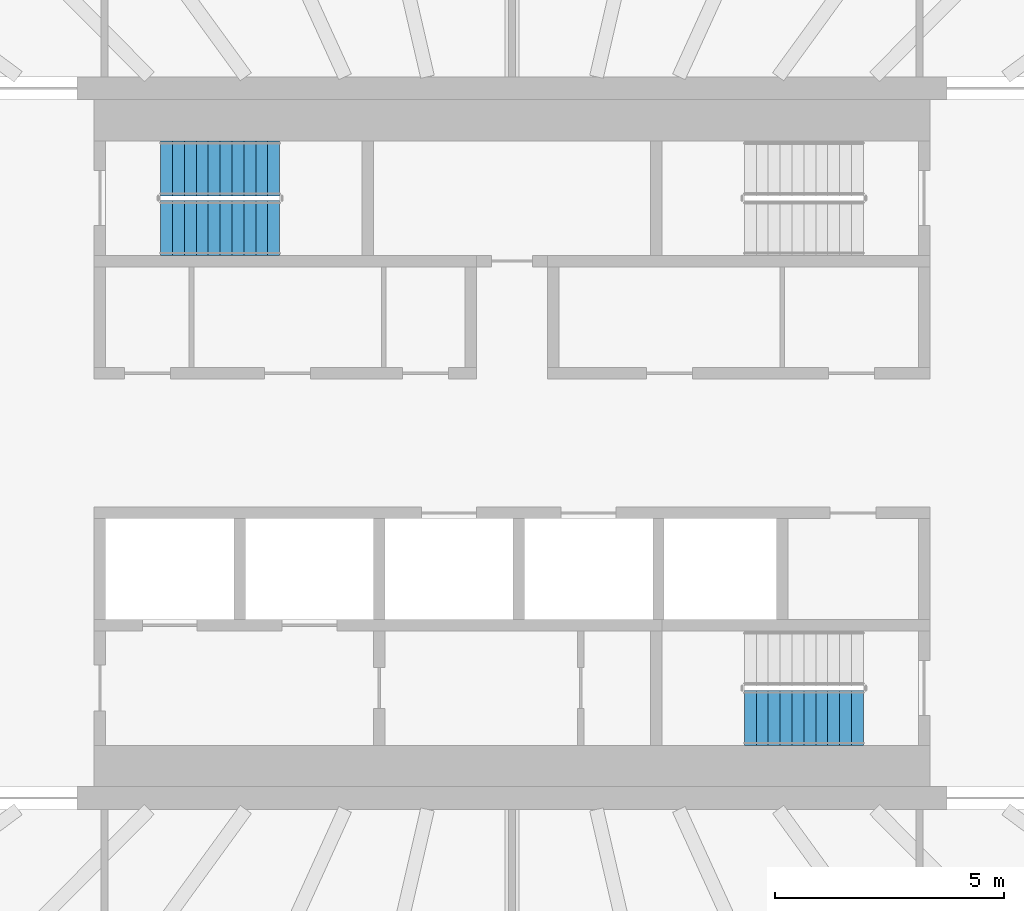
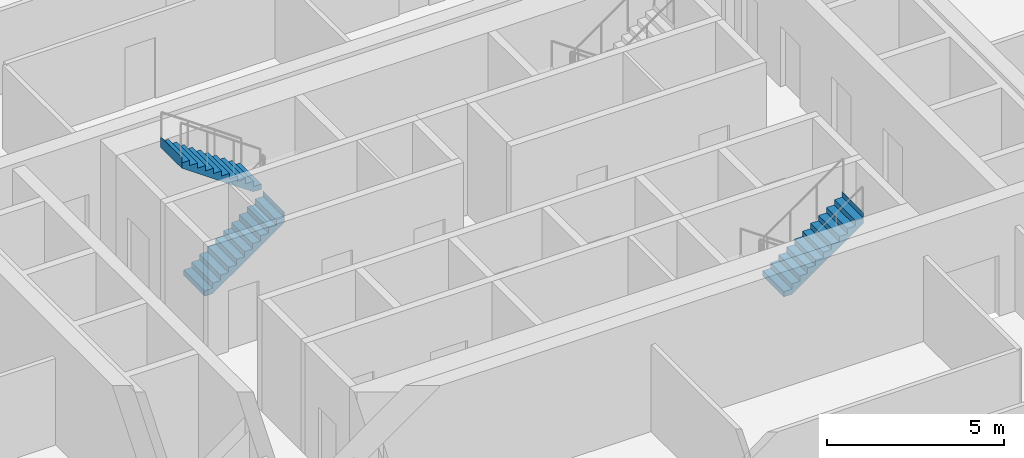
# One storey, part 18 of 25: 3 stair flights, 2 elements without a shape of their own.
"""IFC4 building model written with IfcOpenShell, lengths in metres."""

from ifc_helpers import new_model, si_unit, direction, frame, origin, place, context, subcontext, project, spatial, triangles, material, type_object, element, aggregate, save


model = new_model("IFC4")

# Units and contexts
model_context = context("Model", 3, precision=1e-05, world=origin(), true_north=direction((0.0, 1.0)))
body_context = subcontext(model_context, "Body", "Model", "MODEL_VIEW")
ifc_project = project(units=[si_unit("LENGTHUNIT", "METRE"), si_unit("AREAUNIT", "SQUARE_METRE"), si_unit("VOLUMEUNIT", "CUBIC_METRE"), si_unit("PLANEANGLEUNIT", "RADIAN"), si_unit("MASSUNIT", "GRAM", prefix="KILO")], contexts=[model_context])

# Site, building, storey
site_placement = place(None, origin())
site = spatial("IfcSite", under=ifc_project, at=site_placement, CompositionType="ELEMENT")
building_placement = place(site_placement, origin())
building = spatial("IfcBuilding", under=site, at=building_placement, Name="Sahrelin Media Tower", CompositionType="ELEMENT")
storey_placement = place(building_placement, frame((0.0, 0.0, 165.60009765625)))
storey = spatial("IfcBuildingStorey", under=building, at=storey_placement, Name="L34", CompositionType="ELEMENT", Elevation=165.60009765625)

# Stair, stair flights
ifc_material = material(Name="Concrete C40/50", Category="concrete")
stair_type = type_object("IfcStairType", Name="Exit stair 1200", PredefinedType="HALF_TURN_STAIR", material=ifc_material)
placement = place(storey_placement, origin())
stair_1 = element("IfcStair", 1, at=placement, inside=storey, type_object=stair_type, Name="L34 Exit stair ST1", PredefinedType="HALF_TURN_STAIR")
stair_flight_type = type_object("IfcStairFlightType", Name="Stair flight 1200", PredefinedType="STRAIGHT", material=ifc_material)
stair_flight_1_placement = place(storey_placement, frame((-7.675048828125, 4.699951171875, 0.0), z_axis=(0.0, 0.0, 1.0), x_axis=(1.0, 0.0, 0.0)))
stair_flight_1 = element("IfcStairFlight", 2, at=stair_flight_1_placement, type_object=stair_flight_type, Name="ST1 flight 1", NumberOfRisers=11, NumberOfTreads=10, PredefinedType="STRAIGHT", RiserHeight=0.181818182, TreadLength=0.26, context=body_context, shape_type="Tessellation", body=[
    triangles([(0.261474609375, 0.60009765625, 0.0), (0.261474609375, 0.300048828125, 0.0), (0.261474609375, 0.0, 0.0), (0.261474609375, -0.300048828125, 0.0), (0.261474609375, -0.60009765625, 0.0), (2.60009765625, 0.60009765625, 1.63525390625), (2.60009765625, 0.300048828125, 1.63525390625), (2.60009765625, 0.0, 1.63525390625), (2.60009765625, -0.300048828125, 1.63525390625), (2.60009765625, -0.60009765625, 1.63525390625), (2.60009765625, 0.60009765625, 2.0), (2.60009765625, 0.300048828125, 2.0), (2.60009765625, 0.0, 2.0), (2.60009765625, -0.300048828125, 2.0), (2.60009765625, -0.60009765625, 2.0), (2.597900390625, 0.60009765625, 2.0), (2.597900390625, 0.300048828125, 2.0), (2.597900390625, 0.0, 2.0), (2.597900390625, -0.300048828125, 2.0), (2.597900390625, -0.60009765625, 2.0), (2.597900390625, 0.60009765625, 1.818115234375), (2.597900390625, 0.300048828125, 1.818115234375), (2.597900390625, 0.0, 1.818115234375), (2.597900390625, -0.300048828125, 1.818115234375), (2.597900390625, -0.60009765625, 1.818115234375), (2.340087890625, 0.60009765625, 1.818115234375), (2.340087890625, 0.300048828125, 1.818115234375), (2.340087890625, 0.0, 1.818115234375), (2.340087890625, -0.300048828125, 1.818115234375), (2.340087890625, -0.60009765625, 1.818115234375), (2.340087890625, 0.60009765625, 1.636474609375), (2.340087890625, 0.300048828125, 1.636474609375), (2.340087890625, 0.0, 1.636474609375), (2.340087890625, -0.300048828125, 1.636474609375), (2.340087890625, -0.60009765625, 1.636474609375), (2.080078125, 0.60009765625, 1.636474609375), (2.080078125, 0.300048828125, 1.636474609375), (2.080078125, 0.0, 1.636474609375), (2.080078125, -0.300048828125, 1.636474609375), (2.080078125, -0.60009765625, 1.636474609375), (2.080078125, 0.60009765625, 1.45458984375), (2.080078125, 0.300048828125, 1.45458984375), (2.080078125, 0.0, 1.45458984375), (2.080078125, -0.300048828125, 1.45458984375), (2.080078125, -0.60009765625, 1.45458984375), (1.820068359375, 0.60009765625, 1.45458984375), (1.820068359375, 0.300048828125, 1.45458984375), (1.820068359375, 0.0, 1.45458984375), (1.820068359375, -0.300048828125, 1.45458984375), (1.820068359375, -0.60009765625, 1.45458984375), (1.820068359375, 0.60009765625, 1.272705078125), (1.820068359375, 0.300048828125, 1.272705078125), (1.820068359375, 0.0, 1.272705078125), (1.820068359375, -0.300048828125, 1.272705078125), (1.820068359375, -0.60009765625, 1.272705078125), (1.56005859375, 0.60009765625, 1.272705078125), (1.56005859375, 0.300048828125, 1.272705078125), (1.56005859375, 0.0, 1.272705078125), (1.56005859375, -0.300048828125, 1.272705078125), (1.56005859375, -0.60009765625, 1.272705078125), (1.56005859375, 0.60009765625, 1.0908203125), (1.56005859375, 0.300048828125, 1.0908203125), (1.56005859375, 0.0, 1.0908203125), (1.56005859375, -0.300048828125, 1.0908203125), (1.56005859375, -0.60009765625, 1.0908203125), (1.300048828125, 0.60009765625, 1.0908203125), (1.300048828125, 0.300048828125, 1.0908203125), (1.300048828125, 0.0, 1.0908203125), (1.300048828125, -0.300048828125, 1.0908203125), (1.300048828125, -0.60009765625, 1.0908203125), (1.300048828125, 0.60009765625, 0.9091796875), (1.300048828125, 0.300048828125, 0.9091796875), (1.300048828125, 0.0, 0.9091796875), (1.300048828125, -0.300048828125, 0.9091796875), (1.300048828125, -0.60009765625, 0.9091796875), (1.0400390625, 0.60009765625, 0.9091796875), (1.0400390625, 0.300048828125, 0.9091796875), (1.0400390625, 0.0, 0.9091796875), (1.0400390625, -0.300048828125, 0.9091796875), (1.0400390625, -0.60009765625, 0.9091796875), (1.0400390625, 0.60009765625, 0.727294921875), (1.0400390625, 0.300048828125, 0.727294921875), (1.0400390625, 0.0, 0.727294921875), (1.0400390625, -0.300048828125, 0.727294921875), (1.0400390625, -0.60009765625, 0.727294921875), (0.780029296875, 0.60009765625, 0.727294921875), (0.780029296875, 0.300048828125, 0.727294921875), (0.780029296875, 0.0, 0.727294921875), (0.780029296875, -0.300048828125, 0.727294921875), (0.780029296875, -0.60009765625, 0.727294921875), (0.780029296875, 0.60009765625, 0.54541015625), (0.780029296875, 0.300048828125, 0.54541015625), (0.780029296875, 0.0, 0.54541015625), (0.780029296875, -0.300048828125, 0.54541015625), (0.780029296875, -0.60009765625, 0.54541015625), (0.52001953125, 0.60009765625, 0.54541015625), (0.52001953125, 0.300048828125, 0.54541015625), (0.52001953125, 0.0, 0.54541015625), (0.52001953125, -0.300048828125, 0.54541015625), (0.52001953125, -0.60009765625, 0.54541015625), (0.52001953125, 0.60009765625, 0.363525390625), (0.52001953125, 0.300048828125, 0.363525390625), (0.52001953125, 0.0, 0.363525390625), (0.52001953125, -0.300048828125, 0.363525390625), (0.52001953125, -0.60009765625, 0.363525390625), (0.260009765625, 0.60009765625, 0.363525390625), (0.260009765625, 0.300048828125, 0.363525390625), (0.260009765625, 0.0, 0.363525390625), (0.260009765625, -0.300048828125, 0.363525390625), (0.260009765625, -0.60009765625, 0.363525390625), (0.260009765625, 0.60009765625, 0.181884765625), (0.260009765625, 0.300048828125, 0.181884765625), (0.260009765625, 0.0, 0.181884765625), (0.260009765625, -0.300048828125, 0.181884765625), (0.260009765625, -0.60009765625, 0.181884765625), (0.0, 0.60009765625, 0.181884765625), (0.0, 0.300048828125, 0.181884765625), (0.0, 0.0, 0.181884765625), (0.0, -0.300048828125, 0.181884765625), (0.0, -0.60009765625, 0.181884765625), (0.0, 0.60009765625, 0.0), (0.0, 0.300048828125, 0.0), (0.0, 0.0, 0.0), (0.0, -0.300048828125, 0.0), (0.0, -0.60009765625, 0.0)], [[1, 6, 7], [1, 7, 2], [2, 7, 8], [2, 8, 3], [3, 8, 9], [3, 9, 4], [4, 9, 10], [4, 10, 5], [6, 11, 12], [6, 12, 7], [7, 12, 13], [7, 13, 8], [8, 13, 14], [8, 14, 9], [9, 14, 15], [9, 15, 10], [11, 16, 17], [11, 17, 12], [12, 17, 18], [12, 18, 13], [13, 18, 19], [13, 19, 14], [14, 19, 20], [14, 20, 15], [16, 21, 22], [16, 22, 17], [17, 22, 23], [17, 23, 18], [18, 23, 24], [18, 24, 19], [19, 24, 25], [19, 25, 20], [21, 26, 27], [21, 27, 22], [22, 27, 28], [22, 28, 23], [23, 28, 29], [23, 29, 24], [24, 29, 30], [24, 30, 25], [26, 31, 32], [26, 32, 27], [27, 32, 33], [27, 33, 28], [28, 33, 34], [28, 34, 29], [29, 34, 35], [29, 35, 30], [31, 36, 37], [31, 37, 32], [32, 37, 38], [32, 38, 33], [33, 38, 39], [33, 39, 34], [34, 39, 40], [34, 40, 35], [36, 41, 42], [36, 42, 37], [37, 42, 43], [37, 43, 38], [38, 43, 44], [38, 44, 39], [39, 44, 45], [39, 45, 40], [41, 46, 47], [41, 47, 42], [42, 47, 48], [42, 48, 43], [43, 48, 49], [43, 49, 44], [44, 49, 50], [44, 50, 45], [46, 51, 52], [46, 52, 47], [47, 52, 53], [47, 53, 48], [48, 53, 54], [48, 54, 49], [49, 54, 55], [49, 55, 50], [51, 56, 57], [51, 57, 52], [52, 57, 58], [52, 58, 53], [53, 58, 59], [53, 59, 54], [54, 59, 60], [54, 60, 55], [56, 61, 62], [56, 62, 57], [57, 62, 63], [57, 63, 58], [58, 63, 64], [58, 64, 59], [59, 64, 65], [59, 65, 60], [61, 66, 67], [61, 67, 62], [62, 67, 68], [62, 68, 63], [63, 68, 69], [63, 69, 64], [64, 69, 70], [64, 70, 65], [66, 71, 72], [66, 72, 67], [67, 72, 73], [67, 73, 68], [68, 73, 74], [68, 74, 69], [69, 74, 75], [69, 75, 70], [71, 76, 77], [71, 77, 72], [72, 77, 78], [72, 78, 73], [73, 78, 79], [73, 79, 74], [74, 79, 80], [74, 80, 75], [76, 81, 82], [76, 82, 77], [77, 82, 83], [77, 83, 78], [78, 83, 84], [78, 84, 79], [79, 84, 85], [79, 85, 80], [81, 86, 87], [81, 87, 82], [82, 87, 88], [82, 88, 83], [83, 88, 89], [83, 89, 84], [84, 89, 90], [84, 90, 85], [86, 91, 92], [86, 92, 87], [87, 92, 93], [87, 93, 88], [88, 93, 94], [88, 94, 89], [89, 94, 95], [89, 95, 90], [91, 96, 97], [91, 97, 92], [92, 97, 98], [92, 98, 93], [93, 98, 99], [93, 99, 94], [94, 99, 100], [94, 100, 95], [96, 101, 102], [96, 102, 97], [97, 102, 103], [97, 103, 98], [98, 103, 104], [98, 104, 99], [99, 104, 105], [99, 105, 100], [101, 106, 107], [101, 107, 102], [102, 107, 108], [102, 108, 103], [103, 108, 109], [103, 109, 104], [104, 109, 110], [104, 110, 105], [106, 111, 112], [106, 112, 107], [107, 112, 113], [107, 113, 108], [108, 113, 114], [108, 114, 109], [109, 114, 115], [109, 115, 110], [111, 116, 117], [111, 117, 112], [112, 117, 118], [112, 118, 113], [113, 118, 119], [113, 119, 114], [114, 119, 120], [114, 120, 115], [116, 121, 122], [116, 122, 117], [117, 122, 123], [117, 123, 118], [118, 123, 124], [118, 124, 119], [119, 124, 125], [119, 125, 120], [121, 1, 2], [121, 2, 122], [122, 2, 3], [122, 3, 123], [123, 3, 4], [123, 4, 124], [124, 4, 5], [124, 5, 125], [115, 120, 125], [111, 121, 116], [115, 105, 110], [111, 106, 101], [105, 95, 100], [101, 96, 91], [95, 85, 90], [91, 86, 81], [85, 75, 80], [81, 76, 71], [75, 65, 70], [71, 66, 61], [65, 55, 60], [61, 56, 51], [55, 45, 50], [51, 46, 41], [45, 35, 40], [41, 36, 31], [35, 25, 30], [31, 26, 21], [25, 15, 20], [21, 16, 11], [125, 5, 115], [121, 111, 1], [25, 10, 15], [21, 11, 6], [105, 115, 5], [101, 1, 111], [35, 10, 25], [31, 21, 6], [95, 105, 5], [91, 1, 101], [45, 10, 35], [41, 31, 6], [85, 95, 5], [81, 1, 91], [55, 10, 45], [51, 41, 6], [75, 85, 5], [71, 1, 81], [65, 10, 55], [61, 51, 6], [5, 10, 75], [1, 71, 6], [75, 10, 65], [71, 61, 6]], closed=True),
])
stair_flight_2_placement = place(storey_placement, frame((-5.074951171875, 6.0, 2.0), z_axis=(0.0, 0.0, 1.0), x_axis=(-1.0, 0.0, 0.0)))
stair_flight_2 = element("IfcStairFlight", 3, at=stair_flight_2_placement, type_object=stair_flight_type, Name="ST1 flight 2", NumberOfRisers=11, NumberOfTreads=10, PredefinedType="STRAIGHT", RiserHeight=0.181818182, TreadLength=0.26, context=body_context, shape_type="Tessellation", body=[
    triangles([(0.261474609375, 0.60009765625, 0.0), (0.261474609375, 0.300048828125, 0.0), (0.261474609375, 0.0, 0.0), (0.261474609375, -0.300048828125, 0.0), (0.261474609375, -0.60009765625, 0.0), (2.60009765625, 0.60009765625, 1.63525390625), (2.60009765625, 0.300048828125, 1.63525390625), (2.60009765625, 0.0, 1.63525390625), (2.60009765625, -0.300048828125, 1.63525390625), (2.60009765625, -0.60009765625, 1.63525390625), (2.60009765625, 0.60009765625, 2.0), (2.60009765625, 0.300048828125, 2.0), (2.60009765625, 0.0, 2.0), (2.60009765625, -0.300048828125, 2.0), (2.60009765625, -0.60009765625, 2.0), (2.597900390625, 0.60009765625, 2.0), (2.597900390625, 0.300048828125, 2.0), (2.597900390625, 0.0, 2.0), (2.597900390625, -0.300048828125, 2.0), (2.597900390625, -0.60009765625, 2.0), (2.597900390625, 0.60009765625, 1.818115234375), (2.597900390625, 0.300048828125, 1.818115234375), (2.597900390625, 0.0, 1.818115234375), (2.597900390625, -0.300048828125, 1.818115234375), (2.597900390625, -0.60009765625, 1.818115234375), (2.340087890625, 0.60009765625, 1.818115234375), (2.340087890625, 0.300048828125, 1.818115234375), (2.340087890625, 0.0, 1.818115234375), (2.340087890625, -0.300048828125, 1.818115234375), (2.340087890625, -0.60009765625, 1.818115234375), (2.340087890625, 0.60009765625, 1.636474609375), (2.340087890625, 0.300048828125, 1.636474609375), (2.340087890625, 0.0, 1.636474609375), (2.340087890625, -0.300048828125, 1.636474609375), (2.340087890625, -0.60009765625, 1.636474609375), (2.080078125, 0.60009765625, 1.636474609375), (2.080078125, 0.300048828125, 1.636474609375), (2.080078125, 0.0, 1.636474609375), (2.080078125, -0.300048828125, 1.636474609375), (2.080078125, -0.60009765625, 1.636474609375), (2.080078125, 0.60009765625, 1.45458984375), (2.080078125, 0.300048828125, 1.45458984375), (2.080078125, 0.0, 1.45458984375), (2.080078125, -0.300048828125, 1.45458984375), (2.080078125, -0.60009765625, 1.45458984375), (1.820068359375, 0.60009765625, 1.45458984375), (1.820068359375, 0.300048828125, 1.45458984375), (1.820068359375, 0.0, 1.45458984375), (1.820068359375, -0.300048828125, 1.45458984375), (1.820068359375, -0.60009765625, 1.45458984375), (1.820068359375, 0.60009765625, 1.272705078125), (1.820068359375, 0.300048828125, 1.272705078125), (1.820068359375, 0.0, 1.272705078125), (1.820068359375, -0.300048828125, 1.272705078125), (1.820068359375, -0.60009765625, 1.272705078125), (1.56005859375, 0.60009765625, 1.272705078125), (1.56005859375, 0.300048828125, 1.272705078125), (1.56005859375, 0.0, 1.272705078125), (1.56005859375, -0.300048828125, 1.272705078125), (1.56005859375, -0.60009765625, 1.272705078125), (1.56005859375, 0.60009765625, 1.0908203125), (1.56005859375, 0.300048828125, 1.0908203125), (1.56005859375, 0.0, 1.0908203125), (1.56005859375, -0.300048828125, 1.0908203125), (1.56005859375, -0.60009765625, 1.0908203125), (1.300048828125, 0.60009765625, 1.0908203125), (1.300048828125, 0.300048828125, 1.0908203125), (1.300048828125, 0.0, 1.0908203125), (1.300048828125, -0.300048828125, 1.0908203125), (1.300048828125, -0.60009765625, 1.0908203125), (1.300048828125, 0.60009765625, 0.9091796875), (1.300048828125, 0.300048828125, 0.9091796875), (1.300048828125, 0.0, 0.9091796875), (1.300048828125, -0.300048828125, 0.9091796875), (1.300048828125, -0.60009765625, 0.9091796875), (1.0400390625, 0.60009765625, 0.9091796875), (1.0400390625, 0.300048828125, 0.9091796875), (1.0400390625, 0.0, 0.9091796875), (1.0400390625, -0.300048828125, 0.9091796875), (1.0400390625, -0.60009765625, 0.9091796875), (1.0400390625, 0.60009765625, 0.727294921875), (1.0400390625, 0.300048828125, 0.727294921875), (1.0400390625, 0.0, 0.727294921875), (1.0400390625, -0.300048828125, 0.727294921875), (1.0400390625, -0.60009765625, 0.727294921875), (0.780029296875, 0.60009765625, 0.727294921875), (0.780029296875, 0.300048828125, 0.727294921875), (0.780029296875, 0.0, 0.727294921875), (0.780029296875, -0.300048828125, 0.727294921875), (0.780029296875, -0.60009765625, 0.727294921875), (0.780029296875, 0.60009765625, 0.54541015625), (0.780029296875, 0.300048828125, 0.54541015625), (0.780029296875, 0.0, 0.54541015625), (0.780029296875, -0.300048828125, 0.54541015625), (0.780029296875, -0.60009765625, 0.54541015625), (0.52001953125, 0.60009765625, 0.54541015625), (0.52001953125, 0.300048828125, 0.54541015625), (0.52001953125, 0.0, 0.54541015625), (0.52001953125, -0.300048828125, 0.54541015625), (0.52001953125, -0.60009765625, 0.54541015625), (0.52001953125, 0.60009765625, 0.363525390625), (0.52001953125, 0.300048828125, 0.363525390625), (0.52001953125, 0.0, 0.363525390625), (0.52001953125, -0.300048828125, 0.363525390625), (0.52001953125, -0.60009765625, 0.363525390625), (0.260009765625, 0.60009765625, 0.363525390625), (0.260009765625, 0.300048828125, 0.363525390625), (0.260009765625, 0.0, 0.363525390625), (0.260009765625, -0.300048828125, 0.363525390625), (0.260009765625, -0.60009765625, 0.363525390625), (0.260009765625, 0.60009765625, 0.181884765625), (0.260009765625, 0.300048828125, 0.181884765625), (0.260009765625, 0.0, 0.181884765625), (0.260009765625, -0.300048828125, 0.181884765625), (0.260009765625, -0.60009765625, 0.181884765625), (0.0, 0.60009765625, 0.181884765625), (0.0, 0.300048828125, 0.181884765625), (0.0, 0.0, 0.181884765625), (0.0, -0.300048828125, 0.181884765625), (0.0, -0.60009765625, 0.181884765625), (0.0, 0.60009765625, 0.0), (0.0, 0.300048828125, 0.0), (0.0, 0.0, 0.0), (0.0, -0.300048828125, 0.0), (0.0, -0.60009765625, 0.0)], [[1, 6, 7], [1, 7, 2], [2, 7, 8], [2, 8, 3], [3, 8, 9], [3, 9, 4], [4, 9, 10], [4, 10, 5], [6, 11, 12], [6, 12, 7], [7, 12, 13], [7, 13, 8], [8, 13, 14], [8, 14, 9], [9, 14, 15], [9, 15, 10], [11, 16, 17], [11, 17, 12], [12, 17, 18], [12, 18, 13], [13, 18, 19], [13, 19, 14], [14, 19, 20], [14, 20, 15], [16, 21, 22], [16, 22, 17], [17, 22, 23], [17, 23, 18], [18, 23, 24], [18, 24, 19], [19, 24, 25], [19, 25, 20], [21, 26, 27], [21, 27, 22], [22, 27, 28], [22, 28, 23], [23, 28, 29], [23, 29, 24], [24, 29, 30], [24, 30, 25], [26, 31, 32], [26, 32, 27], [27, 32, 33], [27, 33, 28], [28, 33, 34], [28, 34, 29], [29, 34, 35], [29, 35, 30], [31, 36, 37], [31, 37, 32], [32, 37, 38], [32, 38, 33], [33, 38, 39], [33, 39, 34], [34, 39, 40], [34, 40, 35], [36, 41, 42], [36, 42, 37], [37, 42, 43], [37, 43, 38], [38, 43, 44], [38, 44, 39], [39, 44, 45], [39, 45, 40], [41, 46, 47], [41, 47, 42], [42, 47, 48], [42, 48, 43], [43, 48, 49], [43, 49, 44], [44, 49, 50], [44, 50, 45], [46, 51, 52], [46, 52, 47], [47, 52, 53], [47, 53, 48], [48, 53, 54], [48, 54, 49], [49, 54, 55], [49, 55, 50], [51, 56, 57], [51, 57, 52], [52, 57, 58], [52, 58, 53], [53, 58, 59], [53, 59, 54], [54, 59, 60], [54, 60, 55], [56, 61, 62], [56, 62, 57], [57, 62, 63], [57, 63, 58], [58, 63, 64], [58, 64, 59], [59, 64, 65], [59, 65, 60], [61, 66, 67], [61, 67, 62], [62, 67, 68], [62, 68, 63], [63, 68, 69], [63, 69, 64], [64, 69, 70], [64, 70, 65], [66, 71, 72], [66, 72, 67], [67, 72, 73], [67, 73, 68], [68, 73, 74], [68, 74, 69], [69, 74, 75], [69, 75, 70], [71, 76, 77], [71, 77, 72], [72, 77, 78], [72, 78, 73], [73, 78, 79], [73, 79, 74], [74, 79, 80], [74, 80, 75], [76, 81, 82], [76, 82, 77], [77, 82, 83], [77, 83, 78], [78, 83, 84], [78, 84, 79], [79, 84, 85], [79, 85, 80], [81, 86, 87], [81, 87, 82], [82, 87, 88], [82, 88, 83], [83, 88, 89], [83, 89, 84], [84, 89, 90], [84, 90, 85], [86, 91, 92], [86, 92, 87], [87, 92, 93], [87, 93, 88], [88, 93, 94], [88, 94, 89], [89, 94, 95], [89, 95, 90], [91, 96, 97], [91, 97, 92], [92, 97, 98], [92, 98, 93], [93, 98, 99], [93, 99, 94], [94, 99, 100], [94, 100, 95], [96, 101, 102], [96, 102, 97], [97, 102, 103], [97, 103, 98], [98, 103, 104], [98, 104, 99], [99, 104, 105], [99, 105, 100], [101, 106, 107], [101, 107, 102], [102, 107, 108], [102, 108, 103], [103, 108, 109], [103, 109, 104], [104, 109, 110], [104, 110, 105], [106, 111, 112], [106, 112, 107], [107, 112, 113], [107, 113, 108], [108, 113, 114], [108, 114, 109], [109, 114, 115], [109, 115, 110], [111, 116, 117], [111, 117, 112], [112, 117, 118], [112, 118, 113], [113, 118, 119], [113, 119, 114], [114, 119, 120], [114, 120, 115], [116, 121, 122], [116, 122, 117], [117, 122, 123], [117, 123, 118], [118, 123, 124], [118, 124, 119], [119, 124, 125], [119, 125, 120], [121, 1, 2], [121, 2, 122], [122, 2, 3], [122, 3, 123], [123, 3, 4], [123, 4, 124], [124, 4, 5], [124, 5, 125], [115, 120, 125], [111, 121, 116], [115, 105, 110], [111, 106, 101], [105, 95, 100], [101, 96, 91], [95, 85, 90], [91, 86, 81], [85, 75, 80], [81, 76, 71], [75, 65, 70], [71, 66, 61], [65, 55, 60], [61, 56, 51], [55, 45, 50], [51, 46, 41], [45, 35, 40], [41, 36, 31], [35, 25, 30], [31, 26, 21], [25, 15, 20], [21, 16, 11], [125, 5, 115], [121, 111, 1], [25, 10, 15], [21, 11, 6], [105, 115, 5], [101, 1, 111], [35, 10, 25], [31, 21, 6], [95, 105, 5], [91, 1, 101], [45, 10, 35], [41, 31, 6], [85, 95, 5], [81, 1, 91], [55, 10, 45], [51, 41, 6], [75, 85, 5], [71, 1, 81], [65, 10, 55], [61, 51, 6], [5, 10, 75], [1, 71, 6], [75, 10, 65], [71, 61, 6]], closed=True),
])
aggregate(stair_1, [stair_flight_1, stair_flight_2])

# Stair, stair flight
stair_2 = element("IfcStair", 4, at=placement, inside=storey, type_object=stair_type, Name="L34 Exit stair ST2", PredefinedType="HALF_TURN_STAIR")
stair_flight_3_placement = place(storey_placement, frame((5.074951171875, -6.0, 2.0), z_axis=(0.0, 0.0, 1.0), x_axis=(1.0, 0.0, 0.0)))
stair_flight_3 = element("IfcStairFlight", 5, at=stair_flight_3_placement, type_object=stair_flight_type, Name="ST2 flight 2", NumberOfRisers=11, NumberOfTreads=10, PredefinedType="STRAIGHT", RiserHeight=0.181818182, TreadLength=0.26, context=body_context, shape_type="Tessellation", body=[
    triangles([(0.261474609375, 0.60009765625, 0.0), (0.261474609375, 0.300048828125, 0.0), (0.261474609375, 0.0, 0.0), (0.261474609375, -0.300048828125, 0.0), (0.261474609375, -0.60009765625, 0.0), (2.60009765625, 0.60009765625, 1.63525390625), (2.60009765625, 0.300048828125, 1.63525390625), (2.60009765625, 0.0, 1.63525390625), (2.60009765625, -0.300048828125, 1.63525390625), (2.60009765625, -0.60009765625, 1.63525390625), (2.60009765625, 0.60009765625, 2.0), (2.60009765625, 0.300048828125, 2.0), (2.60009765625, 0.0, 2.0), (2.60009765625, -0.300048828125, 2.0), (2.60009765625, -0.60009765625, 2.0), (2.597900390625, 0.60009765625, 2.0), (2.597900390625, 0.300048828125, 2.0), (2.597900390625, 0.0, 2.0), (2.597900390625, -0.300048828125, 2.0), (2.597900390625, -0.60009765625, 2.0), (2.597900390625, 0.60009765625, 1.818115234375), (2.597900390625, 0.300048828125, 1.818115234375), (2.597900390625, 0.0, 1.818115234375), (2.597900390625, -0.300048828125, 1.818115234375), (2.597900390625, -0.60009765625, 1.818115234375), (2.340087890625, 0.60009765625, 1.818115234375), (2.340087890625, 0.300048828125, 1.818115234375), (2.340087890625, 0.0, 1.818115234375), (2.340087890625, -0.300048828125, 1.818115234375), (2.340087890625, -0.60009765625, 1.818115234375), (2.340087890625, 0.60009765625, 1.636474609375), (2.340087890625, 0.300048828125, 1.636474609375), (2.340087890625, 0.0, 1.636474609375), (2.340087890625, -0.300048828125, 1.636474609375), (2.340087890625, -0.60009765625, 1.636474609375), (2.080078125, 0.60009765625, 1.636474609375), (2.080078125, 0.300048828125, 1.636474609375), (2.080078125, 0.0, 1.636474609375), (2.080078125, -0.300048828125, 1.636474609375), (2.080078125, -0.60009765625, 1.636474609375), (2.080078125, 0.60009765625, 1.45458984375), (2.080078125, 0.300048828125, 1.45458984375), (2.080078125, 0.0, 1.45458984375), (2.080078125, -0.300048828125, 1.45458984375), (2.080078125, -0.60009765625, 1.45458984375), (1.820068359375, 0.60009765625, 1.45458984375), (1.820068359375, 0.300048828125, 1.45458984375), (1.820068359375, 0.0, 1.45458984375), (1.820068359375, -0.300048828125, 1.45458984375), (1.820068359375, -0.60009765625, 1.45458984375), (1.820068359375, 0.60009765625, 1.272705078125), (1.820068359375, 0.300048828125, 1.272705078125), (1.820068359375, 0.0, 1.272705078125), (1.820068359375, -0.300048828125, 1.272705078125), (1.820068359375, -0.60009765625, 1.272705078125), (1.56005859375, 0.60009765625, 1.272705078125), (1.56005859375, 0.300048828125, 1.272705078125), (1.56005859375, 0.0, 1.272705078125), (1.56005859375, -0.300048828125, 1.272705078125), (1.56005859375, -0.60009765625, 1.272705078125), (1.56005859375, 0.60009765625, 1.0908203125), (1.56005859375, 0.300048828125, 1.0908203125), (1.56005859375, 0.0, 1.0908203125), (1.56005859375, -0.300048828125, 1.0908203125), (1.56005859375, -0.60009765625, 1.0908203125), (1.300048828125, 0.60009765625, 1.0908203125), (1.300048828125, 0.300048828125, 1.0908203125), (1.300048828125, 0.0, 1.0908203125), (1.300048828125, -0.300048828125, 1.0908203125), (1.300048828125, -0.60009765625, 1.0908203125), (1.300048828125, 0.60009765625, 0.9091796875), (1.300048828125, 0.300048828125, 0.9091796875), (1.300048828125, 0.0, 0.9091796875), (1.300048828125, -0.300048828125, 0.9091796875), (1.300048828125, -0.60009765625, 0.9091796875), (1.0400390625, 0.60009765625, 0.9091796875), (1.0400390625, 0.300048828125, 0.9091796875), (1.0400390625, 0.0, 0.9091796875), (1.0400390625, -0.300048828125, 0.9091796875), (1.0400390625, -0.60009765625, 0.9091796875), (1.0400390625, 0.60009765625, 0.727294921875), (1.0400390625, 0.300048828125, 0.727294921875), (1.0400390625, 0.0, 0.727294921875), (1.0400390625, -0.300048828125, 0.727294921875), (1.0400390625, -0.60009765625, 0.727294921875), (0.780029296875, 0.60009765625, 0.727294921875), (0.780029296875, 0.300048828125, 0.727294921875), (0.780029296875, 0.0, 0.727294921875), (0.780029296875, -0.300048828125, 0.727294921875), (0.780029296875, -0.60009765625, 0.727294921875), (0.780029296875, 0.60009765625, 0.54541015625), (0.780029296875, 0.300048828125, 0.54541015625), (0.780029296875, 0.0, 0.54541015625), (0.780029296875, -0.300048828125, 0.54541015625), (0.780029296875, -0.60009765625, 0.54541015625), (0.52001953125, 0.60009765625, 0.54541015625), (0.52001953125, 0.300048828125, 0.54541015625), (0.52001953125, 0.0, 0.54541015625), (0.52001953125, -0.300048828125, 0.54541015625), (0.52001953125, -0.60009765625, 0.54541015625), (0.52001953125, 0.60009765625, 0.363525390625), (0.52001953125, 0.300048828125, 0.363525390625), (0.52001953125, 0.0, 0.363525390625), (0.52001953125, -0.300048828125, 0.363525390625), (0.52001953125, -0.60009765625, 0.363525390625), (0.260009765625, 0.60009765625, 0.363525390625), (0.260009765625, 0.300048828125, 0.363525390625), (0.260009765625, 0.0, 0.363525390625), (0.260009765625, -0.300048828125, 0.363525390625), (0.260009765625, -0.60009765625, 0.363525390625), (0.260009765625, 0.60009765625, 0.181884765625), (0.260009765625, 0.300048828125, 0.181884765625), (0.260009765625, 0.0, 0.181884765625), (0.260009765625, -0.300048828125, 0.181884765625), (0.260009765625, -0.60009765625, 0.181884765625), (0.0, 0.60009765625, 0.181884765625), (0.0, 0.300048828125, 0.181884765625), (0.0, 0.0, 0.181884765625), (0.0, -0.300048828125, 0.181884765625), (0.0, -0.60009765625, 0.181884765625), (0.0, 0.60009765625, 0.0), (0.0, 0.300048828125, 0.0), (0.0, 0.0, 0.0), (0.0, -0.300048828125, 0.0), (0.0, -0.60009765625, 0.0)], [[1, 6, 7], [1, 7, 2], [2, 7, 8], [2, 8, 3], [3, 8, 9], [3, 9, 4], [4, 9, 10], [4, 10, 5], [6, 11, 12], [6, 12, 7], [7, 12, 13], [7, 13, 8], [8, 13, 14], [8, 14, 9], [9, 14, 15], [9, 15, 10], [11, 16, 17], [11, 17, 12], [12, 17, 18], [12, 18, 13], [13, 18, 19], [13, 19, 14], [14, 19, 20], [14, 20, 15], [16, 21, 22], [16, 22, 17], [17, 22, 23], [17, 23, 18], [18, 23, 24], [18, 24, 19], [19, 24, 25], [19, 25, 20], [21, 26, 27], [21, 27, 22], [22, 27, 28], [22, 28, 23], [23, 28, 29], [23, 29, 24], [24, 29, 30], [24, 30, 25], [26, 31, 32], [26, 32, 27], [27, 32, 33], [27, 33, 28], [28, 33, 34], [28, 34, 29], [29, 34, 35], [29, 35, 30], [31, 36, 37], [31, 37, 32], [32, 37, 38], [32, 38, 33], [33, 38, 39], [33, 39, 34], [34, 39, 40], [34, 40, 35], [36, 41, 42], [36, 42, 37], [37, 42, 43], [37, 43, 38], [38, 43, 44], [38, 44, 39], [39, 44, 45], [39, 45, 40], [41, 46, 47], [41, 47, 42], [42, 47, 48], [42, 48, 43], [43, 48, 49], [43, 49, 44], [44, 49, 50], [44, 50, 45], [46, 51, 52], [46, 52, 47], [47, 52, 53], [47, 53, 48], [48, 53, 54], [48, 54, 49], [49, 54, 55], [49, 55, 50], [51, 56, 57], [51, 57, 52], [52, 57, 58], [52, 58, 53], [53, 58, 59], [53, 59, 54], [54, 59, 60], [54, 60, 55], [56, 61, 62], [56, 62, 57], [57, 62, 63], [57, 63, 58], [58, 63, 64], [58, 64, 59], [59, 64, 65], [59, 65, 60], [61, 66, 67], [61, 67, 62], [62, 67, 68], [62, 68, 63], [63, 68, 69], [63, 69, 64], [64, 69, 70], [64, 70, 65], [66, 71, 72], [66, 72, 67], [67, 72, 73], [67, 73, 68], [68, 73, 74], [68, 74, 69], [69, 74, 75], [69, 75, 70], [71, 76, 77], [71, 77, 72], [72, 77, 78], [72, 78, 73], [73, 78, 79], [73, 79, 74], [74, 79, 80], [74, 80, 75], [76, 81, 82], [76, 82, 77], [77, 82, 83], [77, 83, 78], [78, 83, 84], [78, 84, 79], [79, 84, 85], [79, 85, 80], [81, 86, 87], [81, 87, 82], [82, 87, 88], [82, 88, 83], [83, 88, 89], [83, 89, 84], [84, 89, 90], [84, 90, 85], [86, 91, 92], [86, 92, 87], [87, 92, 93], [87, 93, 88], [88, 93, 94], [88, 94, 89], [89, 94, 95], [89, 95, 90], [91, 96, 97], [91, 97, 92], [92, 97, 98], [92, 98, 93], [93, 98, 99], [93, 99, 94], [94, 99, 100], [94, 100, 95], [96, 101, 102], [96, 102, 97], [97, 102, 103], [97, 103, 98], [98, 103, 104], [98, 104, 99], [99, 104, 105], [99, 105, 100], [101, 106, 107], [101, 107, 102], [102, 107, 108], [102, 108, 103], [103, 108, 109], [103, 109, 104], [104, 109, 110], [104, 110, 105], [106, 111, 112], [106, 112, 107], [107, 112, 113], [107, 113, 108], [108, 113, 114], [108, 114, 109], [109, 114, 115], [109, 115, 110], [111, 116, 117], [111, 117, 112], [112, 117, 118], [112, 118, 113], [113, 118, 119], [113, 119, 114], [114, 119, 120], [114, 120, 115], [116, 121, 122], [116, 122, 117], [117, 122, 123], [117, 123, 118], [118, 123, 124], [118, 124, 119], [119, 124, 125], [119, 125, 120], [121, 1, 2], [121, 2, 122], [122, 2, 3], [122, 3, 123], [123, 3, 4], [123, 4, 124], [124, 4, 5], [124, 5, 125], [115, 120, 125], [111, 121, 116], [115, 105, 110], [111, 106, 101], [105, 95, 100], [101, 96, 91], [95, 85, 90], [91, 86, 81], [85, 75, 80], [81, 76, 71], [75, 65, 70], [71, 66, 61], [65, 55, 60], [61, 56, 51], [55, 45, 50], [51, 46, 41], [45, 35, 40], [41, 36, 31], [35, 25, 30], [31, 26, 21], [25, 15, 20], [21, 16, 11], [125, 5, 115], [121, 111, 1], [25, 10, 15], [21, 11, 6], [105, 115, 5], [101, 1, 111], [35, 10, 25], [31, 21, 6], [95, 105, 5], [91, 1, 101], [45, 10, 35], [41, 31, 6], [85, 95, 5], [81, 1, 91], [55, 10, 45], [51, 41, 6], [75, 85, 5], [71, 1, 81], [65, 10, 55], [61, 51, 6], [5, 10, 75], [1, 71, 6], [75, 10, 65], [71, 61, 6]], closed=True),
])
aggregate(stair_2, [stair_flight_3])

save(model, "model.ifc")
